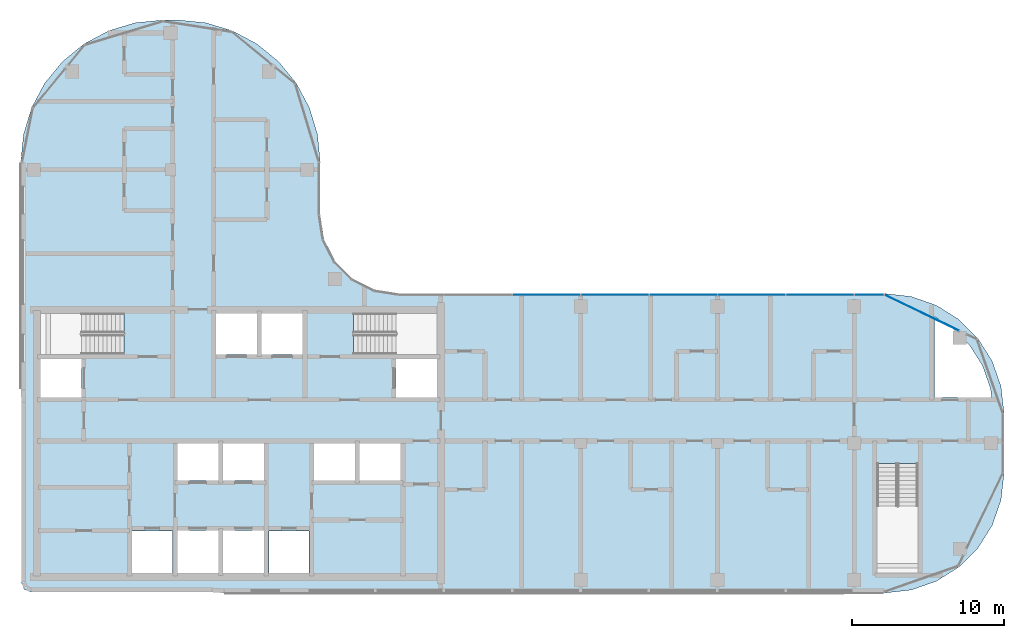
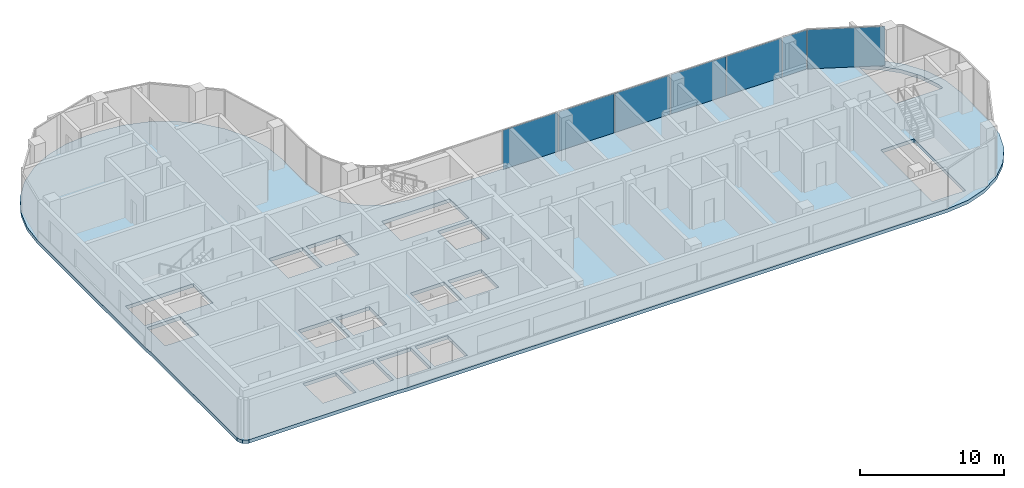
# One storey, part 10 of 20: 7 plates, 1 slab, 2 elements without a shape of their own.
"""IFC4 building model written with IfcOpenShell, lengths in metres."""

from ifc_helpers import new_model, si_unit, direction, frame, origin, origin_2d, place, context, subcontext, project, spatial, polyline, rectangle, outline, extrude, material, layer, layer_set, type_object, element, aggregate, save


model = new_model("IFC4")

# Units and contexts
model_context = context("Model", 3, precision=1e-05, world=origin(), true_north=direction((0.0, 1.0)))
body_context = subcontext(model_context, "Body", "Model", "MODEL_VIEW")
ifc_project = project(units=[si_unit("LENGTHUNIT", "METRE"), si_unit("AREAUNIT", "SQUARE_METRE"), si_unit("VOLUMEUNIT", "CUBIC_METRE"), si_unit("PLANEANGLEUNIT", "RADIAN"), si_unit("MASSUNIT", "GRAM", prefix="KILO")], contexts=[model_context])

# Site, building, storey
site_placement = place(None, origin())
site = spatial("IfcSite", under=ifc_project, at=site_placement, CompositionType="ELEMENT")
building_placement = place(site_placement, origin())
building = spatial("IfcBuilding", under=site, at=building_placement, Name="Ogive Portal Towers", CompositionType="ELEMENT")
storey_placement = place(building_placement, frame((0.0, 0.0, 210.60009765625)))
storey = spatial("IfcBuildingStorey", under=building, at=storey_placement, Name="L52", CompositionType="ELEMENT", Elevation=210.60009765625)

# Curtain wall, plates
ifc_material_1 = material(Name="Glass, clear low-iron insulated glazing", Category="glass")
curtain_wall_type = type_object("IfcCurtainWallType", Name="CW FRONT RIBBON 4500", PredefinedType="NOTDEFINED", material=ifc_material_1)
curtain_wall_1_placement = place(storey_placement, origin())
curtain_wall_1 = element("IfcCurtainWall", 1, at=curtain_wall_1_placement, inside=storey, type_object=curtain_wall_type, Name="A:L52:f11:cw0", PredefinedType="NOTDEFINED")
ifc_layer_1 = layer(ifc_material_1, 0.028076171875)
ifc_layer_set_1 = layer_set([ifc_layer_1], Name="CW PANEL IGU 28")
plate_type = type_object("IfcPlateType", Name="CW PANEL IGU 28", PredefinedType="CURTAIN_PANEL", material=ifc_layer_set_1)
plate_1_placement = place(storey_placement, frame((86.490966796875, 40.27490234375, 0.0), z_axis=(0.0, 0.0, 1.0), x_axis=(-1.0, 0.0, 0.0)))
plate_1 = element("IfcPlate", 2, at=plate_1_placement, type_object=plate_type, Name="panel", PredefinedType="CURTAIN_PANEL", context=body_context, shape_type="SweptSolid", body=[
    extrude(rectangle(XDim=1.921630859375, YDim=0.028076171875, at=origin_2d()), origin(), (0.0, 0.0, 1.0), 3.340087890625),
])
plate_2_placement = place(storey_placement, frame((83.25, 40.27490234375, 0.0), z_axis=(0.0, 0.0, 1.0), x_axis=(-1.0, 0.0, 0.0)))
plate_2 = element("IfcPlate", 3, at=plate_2_placement, type_object=plate_type, Name="panel", PredefinedType="CURTAIN_PANEL", context=body_context, shape_type="SweptSolid", body=[
    extrude(rectangle(XDim=4.43994140625, YDim=0.028076171875, at=origin_2d()), origin(), (0.0, 0.0, 1.0), 3.340087890625),
])
plate_3_placement = place(storey_placement, frame((78.75, 40.27490234375, 0.0), z_axis=(0.0, 0.0, 1.0), x_axis=(-1.0, 0.0, 0.0)))
plate_3 = element("IfcPlate", 4, at=plate_3_placement, type_object=plate_type, Name="panel", PredefinedType="CURTAIN_PANEL", context=body_context, shape_type="SweptSolid", body=[
    extrude(rectangle(XDim=4.43994140625, YDim=0.028076171875, at=origin_2d()), origin(), (0.0, 0.0, 1.0), 3.340087890625),
])
plate_4_placement = place(storey_placement, frame((74.25, 40.27490234375, 0.0), z_axis=(0.0, 0.0, 1.0), x_axis=(-1.0, 0.0, 0.0)))
plate_4 = element("IfcPlate", 5, at=plate_4_placement, type_object=plate_type, Name="panel", PredefinedType="CURTAIN_PANEL", context=body_context, shape_type="SweptSolid", body=[
    extrude(rectangle(XDim=4.43994140625, YDim=0.028076171875, at=origin_2d()), origin(), (0.0, 0.0, 1.0), 3.340087890625),
])
plate_5_placement = place(storey_placement, frame((69.75, 40.27490234375, 0.0), z_axis=(0.0, 0.0, 1.0), x_axis=(-1.0, 0.0, 0.0)))
plate_5 = element("IfcPlate", 6, at=plate_5_placement, type_object=plate_type, Name="panel", PredefinedType="CURTAIN_PANEL", context=body_context, shape_type="SweptSolid", body=[
    extrude(rectangle(XDim=4.43994140625, YDim=0.028076171875, at=origin_2d()), origin(), (0.0, 0.0, 1.0), 3.340087890625),
])
plate_6_placement = place(storey_placement, frame((65.25, 40.27490234375, 0.0), z_axis=(0.0, 0.0, 1.0), x_axis=(-1.0, 0.0, 0.0)))
plate_6 = element("IfcPlate", 7, at=plate_6_placement, type_object=plate_type, Name="panel", PredefinedType="CURTAIN_PANEL", context=body_context, shape_type="SweptSolid", body=[
    extrude(rectangle(XDim=4.43994140625, YDim=0.028076171875, at=origin_2d()), origin(), (0.0, 0.0, 1.0), 3.340087890625),
])
aggregate(curtain_wall_1, [plate_1, plate_2, plate_3, plate_4, plate_5, plate_6])

# Curtain wall, plate
curtain_wall_2_placement = place(storey_placement, origin())
curtain_wall_2 = element("IfcCurtainWall", 8, at=curtain_wall_2_placement, inside=storey, type_object=curtain_wall_type, Name="A:L52:f09:cwa~1", PredefinedType="NOTDEFINED")
plate_7_placement = place(storey_placement, frame((89.947509765625, 39.08740234375, 0.0), z_axis=(0.0, 0.0, 1.0), x_axis=(-0.900968867905, 0.433883739113, 0.0)))
plate_7 = element("IfcPlate", 9, at=plate_7_placement, type_object=plate_type, Name="panel", PredefinedType="CURTAIN_PANEL", context=body_context, shape_type="SweptSolid", body=[
    extrude(rectangle(XDim=5.413818359375, YDim=0.028076171875, at=origin_2d()), origin(), (0.0, 0.0, 1.0), 3.340087890625),
])
aggregate(curtain_wall_2, [plate_7])

# Slab
ifc_material_2 = material(Name="Concrete C45/55", Category="concrete")
ifc_layer_2 = layer(ifc_material_2, 0.300048828125)
ifc_layer_set_2 = layer_set([ifc_layer_2], Name="PT FLAT PLATE 300")
slab_type = type_object("IfcSlabType", Name="PT FLAT PLATE 300", PredefinedType="FLOOR", material=ifc_layer_set_2)
slab_placement = place(storey_placement, frame((0.0, 0.0, -0.300048828125)))
element("IfcSlab", 10, at=slab_placement, inside=storey, type_object=slab_type, Name="Floor slab L52", PredefinedType="FLOOR", context=body_context, shape_type="SweptSolid", body=[
    extrude(outline(polyline([(30.64501953125, 49.0), (30.64501953125, 34.0), (30.699951171875, 33.23095703125), (30.699951171875, 21.300048828125), (30.875732421875, 20.875732421875), (31.300048828125, 20.699951171875), (43.23095703125, 20.699951171875), (44.0, 20.64501953125), (87.5, 20.64501953125), (89.247802734375, 20.841796875), (90.908203125, 21.4228515625), (92.3974609375, 22.358642578125), (93.641357421875, 23.6025390625), (94.5771484375, 25.091796875), (95.158203125, 26.752197265625), (95.35498046875, 28.5), (95.35498046875, 32.5), (95.158203125, 34.247802734375), (94.5771484375, 35.908203125), (93.641357421875, 37.3974609375), (92.3974609375, 38.641357421875), (90.908203125, 39.5771484375), (89.247802734375, 40.158203125), (87.5, 40.35498046875), (55.5, 40.35498046875), (53.91015625, 40.606689453125), (52.475830078125, 41.337646484375), (51.337646484375, 42.475830078125), (50.606689453125, 43.91015625), (50.35498046875, 45.5), (50.35498046875, 49.0), (50.17529296875, 50.8251953125), (49.642822265625, 52.580078125), (48.7783203125, 54.197509765625), (47.614990234375, 55.614990234375), (46.197509765625, 56.7783203125), (44.580078125, 57.642822265625), (42.8251953125, 58.17529296875), (41.0, 58.35498046875), (40.0, 58.35498046875), (38.1748046875, 58.17529296875), (36.419921875, 57.642822265625), (34.802490234375, 56.7783203125), (33.385009765625, 55.614990234375), (32.2216796875, 54.197509765625), (31.357177734375, 52.580078125), (30.82470703125, 50.8251953125), (30.64501953125, 49.0)]), holes=[polyline([(40.6298828125, 21.969970703125), (37.969970703125, 21.969970703125), (37.969970703125, 24.72998046875), (40.6298828125, 24.72998046875), (40.6298828125, 21.969970703125)]), polyline([(43.64990234375, 24.75), (43.64990234375, 21.949951171875), (40.949951171875, 21.949951171875), (40.949951171875, 24.75), (43.64990234375, 24.75)]), polyline([(46.64990234375, 24.75), (46.64990234375, 21.949951171875), (43.949951171875, 21.949951171875), (43.949951171875, 24.75), (46.64990234375, 24.75)]), polyline([(43.64990234375, 30.5), (43.64990234375, 28.050048828125), (40.949951171875, 28.050048828125), (40.949951171875, 30.5), (43.64990234375, 30.5)]), polyline([(46.64990234375, 30.5), (46.64990234375, 28.050048828125), (43.949951171875, 28.050048828125), (43.949951171875, 30.5), (46.64990234375, 30.5)]), polyline([(34.64990234375, 36.050048828125), (34.64990234375, 33.5), (31.949951171875, 33.5), (31.949951171875, 36.050048828125), (34.64990234375, 36.050048828125)]), polyline([(31.951904296875, 39.048095703125), (37.447998046875, 39.048095703125), (37.447998046875, 36.35205078125), (31.951904296875, 36.35205078125), (31.951904296875, 39.048095703125)]), polyline([(46.199951171875, 39.050048828125), (46.199951171875, 36.35009765625), (43.5, 36.35009765625), (43.5, 39.050048828125), (46.199951171875, 39.050048828125)]), polyline([(49.6298828125, 21.969970703125), (46.969970703125, 21.969970703125), (46.969970703125, 24.72998046875), (49.6298828125, 24.72998046875), (49.6298828125, 21.969970703125)]), polyline([(87.001953125, 21.951904296875), (87.001953125, 29.16796875), (89.697998046875, 29.16796875), (89.697998046875, 21.951904296875), (87.001953125, 21.951904296875)]), polyline([(52.64990234375, 30.5), (52.64990234375, 28.050048828125), (49.949951171875, 28.050048828125), (49.949951171875, 30.5), (52.64990234375, 30.5)]), polyline([(55.64990234375, 30.5), (55.64990234375, 28.050048828125), (52.949951171875, 28.050048828125), (52.949951171875, 30.5), (55.64990234375, 30.5)]), polyline([(58.050048828125, 36.050048828125), (58.050048828125, 33.5), (55.35009765625, 33.5), (55.35009765625, 36.050048828125), (58.050048828125, 36.050048828125)]), polyline([(93.090576171875, 36.958251953125), (93.9423828125, 35.6025390625), (94.47119140625, 34.09130859375), (94.53564453125, 33.52001953125), (90.77001953125, 33.52001953125), (90.77001953125, 38.837158203125), (91.958251953125, 38.090576171875), (93.090576171875, 36.958251953125)]), polyline([(49.199951171875, 39.050048828125), (49.199951171875, 36.35009765625), (46.5, 36.35009765625), (46.5, 39.050048828125), (49.199951171875, 39.050048828125)]), polyline([(58.048095703125, 36.35205078125), (52.552001953125, 36.35205078125), (52.552001953125, 39.048095703125), (58.048095703125, 39.048095703125), (58.048095703125, 36.35205078125)])]), origin(), (0.0, 0.0, 1.0), 0.300048828125),
])

save(model, "model.ifc")
